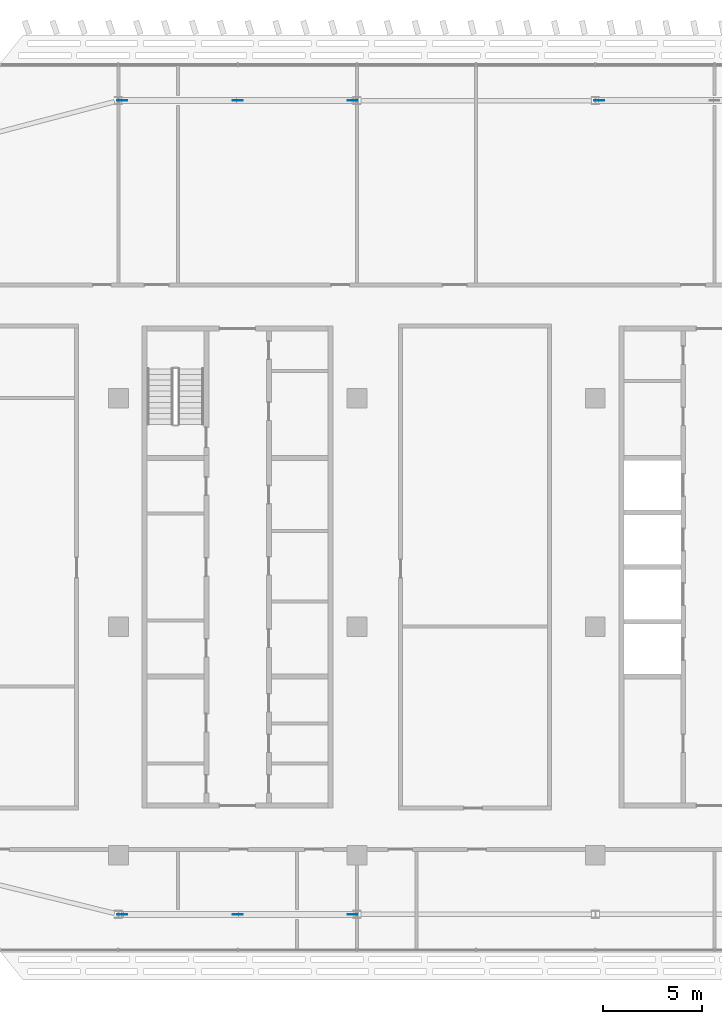
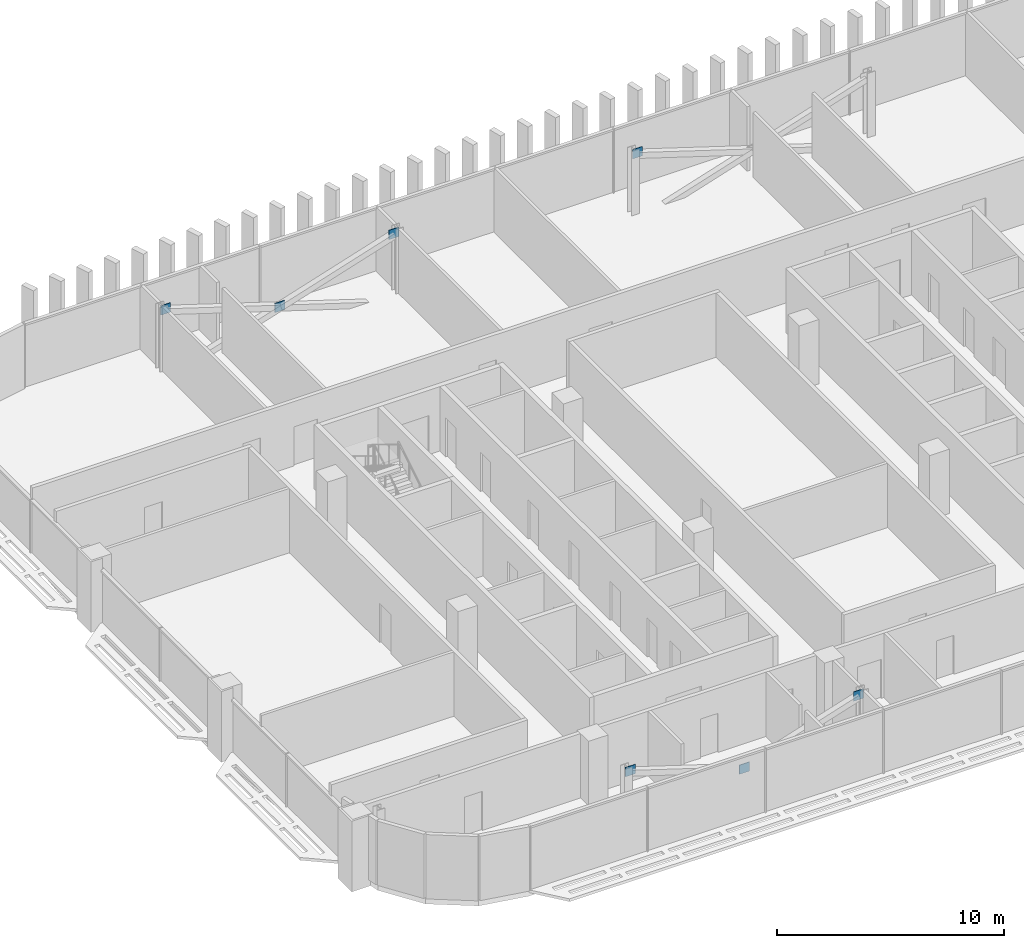
# One storey, part 23 of 32: 7 discrete accessories.
"""IFC4 building model written with IfcOpenShell, lengths in metres."""

from ifc_helpers import new_model, si_unit, direction, frame, origin, origin_2d, place, context, subcontext, project, spatial, rectangle, extrude, material, layer, layer_set, type_object, element, save


model = new_model("IFC4")

# Units and contexts
model_context = context("Model", 3, precision=1e-05, world=origin(), true_north=direction((0.0, 1.0)))
body_context = subcontext(model_context, "Body", "Model", "MODEL_VIEW")
ifc_project = project(units=[si_unit("LENGTHUNIT", "METRE"), si_unit("AREAUNIT", "SQUARE_METRE"), si_unit("VOLUMEUNIT", "CUBIC_METRE"), si_unit("PLANEANGLEUNIT", "RADIAN"), si_unit("MASSUNIT", "GRAM", prefix="KILO")], contexts=[model_context])

# Site, building, storey
site_placement = place(None, origin())
site = spatial("IfcSite", under=ifc_project, at=site_placement, CompositionType="ELEMENT")
building_placement = place(site_placement, origin())
building = spatial("IfcBuilding", under=site, at=building_placement, Name="Mahtab Terrace Research Tower", CompositionType="ELEMENT")
storey_placement = place(building_placement, frame((0.0, 0.0, 236.199951171875)))
storey = spatial("IfcBuildingStorey", under=building, at=storey_placement, Name="L57", CompositionType="ELEMENT", Elevation=236.199951171875)

# Discrete accessories
ifc_material = material(Name="Steel ASTM A992 Gr 50", Category="steel")
ifc_layer = layer(ifc_material, 0.030029296875)
ifc_layer_set = layer_set([ifc_layer], Name="Gusset plate 500x500x30")
discrete_accessory_type = type_object("IfcDiscreteAccessoryType", Name="Gusset plate 500x500x30", PredefinedType="USERDEFINED", material=ifc_layer_set)
for number, where, z_axis, x_axis, name in (
    (1, (-29.800537109375, -14.472900390625, 2.906494140625), (0.0, 0.0, 1.0), (1.0, 0.0, 0.0), "Gusset plate"),
    (2, (-29.800537109375, 26.472900390625, 2.906494140625), (0.0, 0.0, 1.0), (1.0, 0.0, 0.0), "Gusset plate"),
    (3, (-24.0, -14.472900390625, 1.00634765625), (0.0, 0.0, 1.0), (1.0, 0.0, 0.0), "Gusset plate"),
    (4, (-24.0, 26.472900390625, 1.00634765625), (0.0, 0.0, 1.0), (1.0, 0.0, 0.0), "Gusset plate"),
    (5, (-18.199462890625, -14.472900390625, 2.906494140625), (0.0, 0.0, 1.0), (1.0, 0.0, 0.0), "Gusset plate"),
    (6, (-18.199462890625, 26.472900390625, 2.906494140625), (0.0, 0.0, 1.0), (1.0, 0.0, 0.0), "Gusset plate"),
    (7, (-5.800537109375, 26.472900390625, 2.906494140625), (0.0, 0.0, 1.0), (1.0, 0.0, 0.0), "Gusset plate"),
):
    element("IfcDiscreteAccessory", number, at=place(storey_placement, frame(where, z_axis=z_axis, x_axis=x_axis)), inside=storey, type_object=discrete_accessory_type, Name=name, ObjectType="GUSSET PLATE", PredefinedType="USERDEFINED", context=body_context, shape_type="SweptSolid", body=[
        extrude(rectangle(XDim=0.5, YDim=0.030029296875, at=origin_2d()), origin(), (0.0, 0.0, 1.0), 0.5),
    ])

save(model, "model.ifc")
